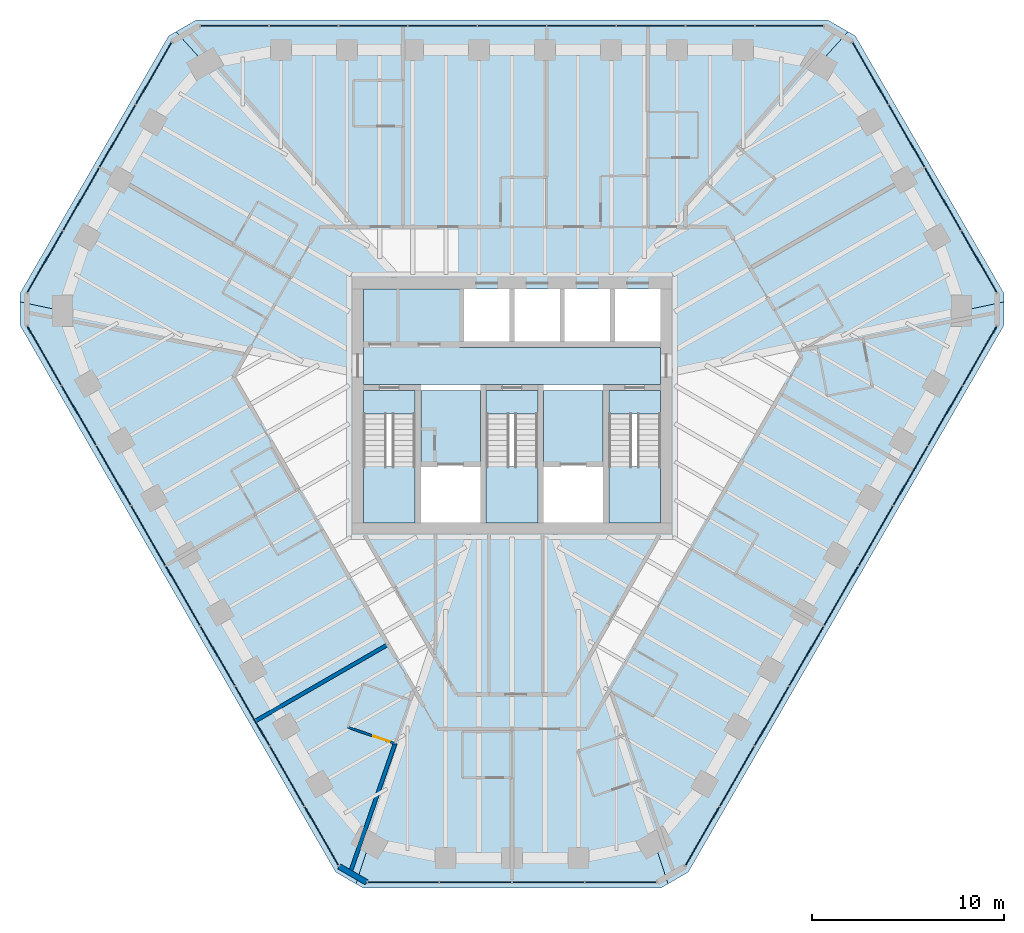
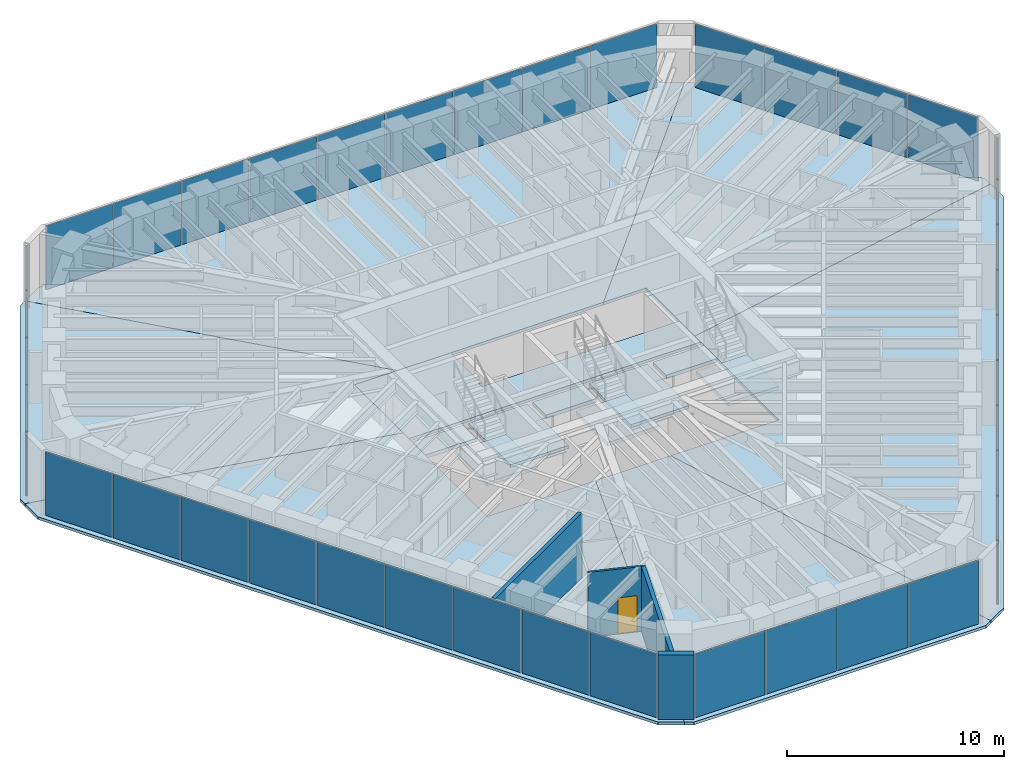
# One storey, part 8 of 14: 39 plates, 15 slabs, 4 walls, 1 door, 1 opening, 9 elements without a shape of their own.
"""IFC4 building model written with IfcOpenShell, lengths in metres."""

import ifcopenshell
import ifcopenshell.guid

model = None  # the IFC model being written
_history = None  # IfcOwnerHistory: only IFC2X3 demands one
_inside = {}  # id of a spatial element -> (the spatial element, [elements in it])
_under = {}  # id of a project, library or spatial element -> (it, [spatial elements below it])
_declared = {}  # id of a project -> (the project, [libraries it declares])
_typed = {}  # id of a type object -> (the type object, [elements of that type])
_made_of = {}  # id of a material, layer set ... -> (it, [elements and type objects made of it])


def new_model(schema):
    """Start an empty IFC model of exactly this schema.

    Asked for "IFC4X3", IfcOpenShell would pick the latest addendum, in which some entities
    have other attributes; the version numbers below select the first issue.
    IFC2X3 requires an IfcOwnerHistory on every rooted entity: one is made here for all.
    """
    global model, _history
    if schema == "IFC4X3":
        model = ifcopenshell.file(schema_version=(4, 3, 0, 0))
    else:
        model = ifcopenshell.file(schema=schema)
    _inside.clear()
    _under.clear()
    _declared.clear()
    _typed.clear()
    _made_of.clear()
    _history = None
    if model.schema == "IFC2X3":
        org = make("IfcOrganization", Name="unknown")
        user = make(
            "IfcPersonAndOrganization",
            ThePerson=make("IfcPerson", FamilyName="unknown"),
            TheOrganization=org,
        )
        app = make(
            "IfcApplication",
            ApplicationDeveloper=org,
            Version="unknown",
            ApplicationFullName="unknown",
            ApplicationIdentifier="unknown",
        )
        _history = make(
            "IfcOwnerHistory",
            OwningUser=user,
            OwningApplication=app,
            ChangeAction="ADDED",
            CreationDate=0,
        )
    return model


def make(cls, **values):
    """One entity of the class cls with the attributes given. An attribute that is None is left unset."""
    return model.create_entity(
        cls, **{name: value for name, value in values.items() if value is not None}
    )


def rooted(cls, **values):
    """An entity with a GlobalId (a new one), such as an element, a storey or a relation."""
    return make(cls, GlobalId=ifcopenshell.guid.new(), OwnerHistory=_history, **values)


def si_unit(unit_type, name, prefix=None):
    """IfcSIUnit, for example si_unit("LENGTHUNIT", "METRE", prefix="MILLI")."""
    return make("IfcSIUnit", UnitType=unit_type, Prefix=prefix, Name=name)


def assignment(units):
    """IfcUnitAssignment: the units of a project."""
    return None if units is None else make("IfcUnitAssignment", Units=units)


def point(xyz):
    """IfcCartesianPoint."""
    return None if xyz is None else make("IfcCartesianPoint", Coordinates=xyz)


def direction(xyz):
    """IfcDirection."""
    return None if xyz is None else make("IfcDirection", DirectionRatios=xyz)


def frame(location, z_axis=None, x_axis=None):
    """IfcAxis2Placement3D, a coordinate frame: its origin and axes. An axis left out is left unset."""
    return make(
        "IfcAxis2Placement3D",
        Location=point(location),
        Axis=direction(z_axis),
        RefDirection=direction(x_axis),
    )


def frame_2d(location, x_axis=None):
    """IfcAxis2Placement2D, a coordinate frame in the plane: its origin and x axis."""
    return make(
        "IfcAxis2Placement2D", Location=point(location), RefDirection=direction(x_axis)
    )


def origin():
    """The frame at (0, 0, 0) with its axes left unset."""
    return frame((0.0, 0.0, 0.0))


def origin_2d():
    """The frame at (0, 0) in the plane with its x axis left unset."""
    return frame_2d((0.0, 0.0))


def place(relative_to, where):
    """IfcLocalPlacement: puts the frame where relative to a parent placement (None: the world)."""
    return make(
        "IfcLocalPlacement", PlacementRelTo=relative_to, RelativePlacement=where
    )


def context(
    kind, dimensions, precision=None, world=None, true_north=None, identifier=None
):
    """IfcGeometricRepresentationContext, for example the 3D "Model" context."""
    return make(
        "IfcGeometricRepresentationContext",
        ContextIdentifier=identifier,
        ContextType=kind,
        CoordinateSpaceDimension=dimensions,
        Precision=precision,
        WorldCoordinateSystem=world,
        TrueNorth=true_north,
    )


def subcontext(parent, identifier, kind, view, scale=None):
    """IfcGeometricRepresentationSubContext, for example "Body" below "Model"."""
    return make(
        "IfcGeometricRepresentationSubContext",
        ContextIdentifier=identifier,
        ContextType=kind,
        ParentContext=parent,
        TargetScale=scale,
        TargetView=view,
    )


def project(units=None, contexts=None):
    """IfcProject with its units and contexts."""
    return rooted(
        "IfcProject",
        Name="project",
        RepresentationContexts=contexts,
        UnitsInContext=assignment(units),
    )


def spatial(cls, under=None, at=None, **own):
    """A site, building, storey or space (cls), placed at a placement, below another one or the project."""
    s = rooted(cls, ObjectPlacement=at, **own)
    if under is not None:
        _under.setdefault(under.id(), (under, []))[1].append(s)
    return s


def polyline(points):
    """IfcPolyline through the points."""
    return make("IfcPolyline", Points=[point(p) for p in points])


def profile(cls, at=None, kind="AREA", **sizes):
    """A parametric profile (cls). Its sizes go by their IFC names, for example OverallWidth=200.0."""
    return make(cls, ProfileType=kind, Position=at, **sizes)


def rectangle(**sizes):
    """IfcRectangleProfileDef."""
    return profile("IfcRectangleProfileDef", **sizes)


def outline(outer, holes=None, kind="AREA"):
    """IfcArbitraryClosedProfileDef: a profile drawn as a closed curve; with holes, ...WithVoids."""
    if holes is None:
        return make("IfcArbitraryClosedProfileDef", ProfileType=kind, OuterCurve=outer)
    return make(
        "IfcArbitraryProfileDefWithVoids",
        ProfileType=kind,
        OuterCurve=outer,
        InnerCurves=holes,
    )


def extrude(swept, where, along, depth):
    """IfcExtrudedAreaSolid: the profile swept, set in the frame where, extruded along a direction by depth."""
    return make(
        "IfcExtrudedAreaSolid",
        SweptArea=swept,
        Position=where,
        ExtrudedDirection=direction(along),
        Depth=depth,
    )


def shape(context_of_items, identifier, shape_type, items):
    """IfcShapeRepresentation: the items that make up one representation, for example the "Body"."""
    return make(
        "IfcShapeRepresentation",
        ContextOfItems=context_of_items,
        RepresentationIdentifier=identifier,
        RepresentationType=shape_type,
        Items=items,
    )


def material(Name=None, Category=None):
    """IfcMaterial."""
    return make("IfcMaterial", Name=Name, Category=Category)


def layer(
    of_material, thickness, ventilated=None, Name=None, Category=None, Priority=None
):
    """IfcMaterialLayer: one layer of a wall or slab, of a material (None: an air gap)."""
    return make(
        "IfcMaterialLayer",
        Material=of_material,
        LayerThickness=thickness,
        IsVentilated=ventilated,
        Name=Name,
        Category=Category,
        Priority=Priority,
    )


def layer_set(layers, Name=None):
    """IfcMaterialLayerSet."""
    return make("IfcMaterialLayerSet", MaterialLayers=layers, LayerSetName=Name)


def made_of(thing, what):
    """Note that an element or type object is made of a material, layer set ...; save() writes the relation."""
    if what is not None:
        _made_of.setdefault(what.id(), (what, []))[1].append(thing)
    return thing


def type_object(cls, material=None, **own):
    """A type object (cls), such as IfcWallType, which elements share."""
    return made_of(rooted(cls, **own), material)


def element(
    cls,
    number,
    at=None,
    inside=None,
    cuts=None,
    type_object=None,
    material=None,
    context=None,
    identifier="Body",
    shape_type=None,
    held_by="IfcProductDefinitionShape",
    body=None,
    shapes=None,
    **own,
):
    """One element of the class cls, such as IfcWall. Its Tag is "e" and its number.

    at: its placement. inside: the storey or other place that contains it. cuts: it is an
    opening in that element (IfcRelVoidsElement). A single representation is given by context,
    identifier, shape_type and body (its items); several are given by shapes. held_by: the class
    of the entity that holds the representations. save() writes the other relations.
    """
    e = rooted(cls, Tag="e%d" % number, ObjectPlacement=at, **own)
    if body is not None:
        shapes = [shape(context, identifier, shape_type, body)]
    if shapes is not None:
        e.Representation = make(held_by, Representations=shapes)
    if inside is not None:
        _inside.setdefault(inside.id(), (inside, []))[1].append(e)
    if cuts is not None:
        rooted(
            "IfcRelVoidsElement", RelatingBuildingElement=cuts, RelatedOpeningElement=e
        )
    if type_object is not None:
        _typed.setdefault(type_object.id(), (type_object, []))[1].append(e)
    return made_of(e, material)


def fill(opening, filler):
    """IfcRelFillsElement: the door or window that sits in an opening."""
    return rooted(
        "IfcRelFillsElement",
        RelatingOpeningElement=opening,
        RelatedBuildingElement=filler,
    )


def aggregate(whole, parts):
    """IfcRelAggregates: a whole, such as a stair, and the parts it consists of."""
    return rooted("IfcRelAggregates", RelatingObject=whole, RelatedObjects=parts)


def save(model, path):
    """Write the relations noted so far, then the file.

    IfcRelAggregates (storeys below a building ...), IfcRelContainedInSpatialStructure (elements
    in a storey), IfcRelDefinesByType, IfcRelAssociatesMaterial and IfcRelDeclares: one each for
    every whole, place, type object, material and project.
    """
    for whole, parts in _under.values():
        aggregate(whole, parts)
    for where, things in _inside.values():
        rooted(
            "IfcRelContainedInSpatialStructure",
            RelatedElements=things,
            RelatingStructure=where,
        )
    for kind, things in _typed.values():
        rooted("IfcRelDefinesByType", RelatedObjects=things, RelatingType=kind)
    for what, things in _made_of.values():
        rooted("IfcRelAssociatesMaterial", RelatedObjects=things, RelatingMaterial=what)
    for by, libraries in _declared.values():
        rooted("IfcRelDeclares", RelatingContext=by, RelatedDefinitions=libraries)
    model.write(path)


model = new_model("IFC4")

# Units and contexts
model_context = context("Model", 3, precision=1e-05, world=origin(), true_north=direction((0.0, 1.0)))
body_context = subcontext(model_context, "Body", "Model", "MODEL_VIEW")
ifc_project = project(units=[si_unit("LENGTHUNIT", "METRE"), si_unit("AREAUNIT", "SQUARE_METRE"), si_unit("VOLUMEUNIT", "CUBIC_METRE"), si_unit("PLANEANGLEUNIT", "RADIAN"), si_unit("MASSUNIT", "GRAM", prefix="KILO")], contexts=[model_context])

# Site, building, storey
site_placement = place(None, origin())
site = spatial("IfcSite", under=ifc_project, at=site_placement, CompositionType="ELEMENT")
building_placement = place(site_placement, origin())
building = spatial("IfcBuilding", under=site, at=building_placement, Name="Sandreach Pilgrim Tower", CompositionType="ELEMENT")
storey_placement = place(building_placement, frame((0.0, 0.0, 276.0)))
storey = spatial("IfcBuildingStorey", under=building, at=storey_placement, Name="L69", CompositionType="ELEMENT", Elevation=276.0)

# Curtain wall, plates
ifc_material_1 = material(Name="Aluminium framed curtain wall", Category="aluminium")
curtain_wall_type = type_object("IfcCurtainWallType", Name="Suite tower curtain wall", PredefinedType="NOTDEFINED", material=ifc_material_1)
curtain_wall_1_placement = place(storey_placement, origin())
curtain_wall_1 = element("IfcCurtainWall", 1, at=curtain_wall_1_placement, inside=storey, type_object=curtain_wall_type, Name="CW-4 L69 N", PredefinedType="NOTDEFINED")
ifc_material_2 = material(Name="Insulating glass unit 16.76 laminated + 24 argon + 16.76 laminated", Category="glass")
ifc_layer_1 = layer(ifc_material_2, 0.05810546875)
ifc_layer_set_1 = layer_set([ifc_layer_1], Name="CW-4 panel")
plate_type = type_object("IfcPlateType", Name="CW-4 panel", PredefinedType="CURTAIN_PANEL", material=ifc_layer_set_1)
plate_1_placement = place(storey_placement, frame((-14.472412109375, 19.826416015625, 0.0), z_axis=(0.0, 0.0, 1.0), x_axis=(1.0, 0.0, 0.0)))
plate_1 = element("IfcPlate", 2, at=plate_1_placement, type_object=plate_type, Name="CW-4 panel 1", PredefinedType="CURTAIN_PANEL", context=body_context, shape_type="SweptSolid", body=[
    extrude(rectangle(XDim=3.531982421875, YDim=0.05810546875, at=origin_2d()), origin(), (0.0, 0.0, 1.0), 3.570068359375),
])
plate_2_placement = place(storey_placement, frame((-10.865478515625, 19.826416015625, 0.0), z_axis=(0.0, 0.0, 1.0), x_axis=(1.0, 0.0, 0.0)))
plate_2 = element("IfcPlate", 3, at=plate_2_placement, type_object=plate_type, Name="CW-4 panel 2", PredefinedType="CURTAIN_PANEL", context=body_context, shape_type="SweptSolid", body=[
    extrude(rectangle(XDim=3.561767578125, YDim=0.05810546875, at=origin_2d()), origin(), (0.0, 0.0, 1.0), 3.570068359375),
])
plate_3_placement = place(storey_placement, frame((-7.24365234375, 19.826416015625, 0.0), z_axis=(0.0, 0.0, 1.0), x_axis=(1.0, 0.0, 0.0)))
plate_3 = element("IfcPlate", 4, at=plate_3_placement, type_object=plate_type, Name="CW-4 panel 3", PredefinedType="CURTAIN_PANEL", context=body_context, shape_type="SweptSolid", body=[
    extrude(rectangle(XDim=3.561767578125, YDim=0.05810546875, at=origin_2d()), origin(), (0.0, 0.0, 1.0), 3.570068359375),
])
plate_4_placement = place(storey_placement, frame((-3.621826171875, 19.826416015625, 0.0), z_axis=(0.0, 0.0, 1.0), x_axis=(1.0, 0.0, 0.0)))
plate_4 = element("IfcPlate", 5, at=plate_4_placement, type_object=plate_type, Name="CW-4 panel 4", PredefinedType="CURTAIN_PANEL", context=body_context, shape_type="SweptSolid", body=[
    extrude(rectangle(XDim=3.561767578125, YDim=0.05810546875, at=origin_2d()), origin(), (0.0, 0.0, 1.0), 3.570068359375),
])
plate_5_placement = place(storey_placement, frame((0.0, 19.826416015625, 0.0), z_axis=(0.0, 0.0, 1.0), x_axis=(1.0, 0.0, 0.0)))
plate_5 = element("IfcPlate", 6, at=plate_5_placement, type_object=plate_type, Name="CW-4 panel 5", PredefinedType="CURTAIN_PANEL", context=body_context, shape_type="SweptSolid", body=[
    extrude(rectangle(XDim=3.561767578125, YDim=0.05810546875, at=origin_2d()), origin(), (0.0, 0.0, 1.0), 3.570068359375),
])
plate_6_placement = place(storey_placement, frame((3.621826171875, 19.826416015625, 0.0), z_axis=(0.0, 0.0, 1.0), x_axis=(1.0, 0.0, 0.0)))
plate_6 = element("IfcPlate", 7, at=plate_6_placement, type_object=plate_type, Name="CW-4 panel 6", PredefinedType="CURTAIN_PANEL", context=body_context, shape_type="SweptSolid", body=[
    extrude(rectangle(XDim=3.561767578125, YDim=0.05810546875, at=origin_2d()), origin(), (0.0, 0.0, 1.0), 3.570068359375),
])
plate_7_placement = place(storey_placement, frame((7.24365234375, 19.826416015625, 0.0), z_axis=(0.0, 0.0, 1.0), x_axis=(1.0, 0.0, 0.0)))
plate_7 = element("IfcPlate", 8, at=plate_7_placement, type_object=plate_type, Name="CW-4 panel 7", PredefinedType="CURTAIN_PANEL", context=body_context, shape_type="SweptSolid", body=[
    extrude(rectangle(XDim=3.561767578125, YDim=0.05810546875, at=origin_2d()), origin(), (0.0, 0.0, 1.0), 3.570068359375),
])
plate_8_placement = place(storey_placement, frame((10.865478515625, 19.826416015625, 0.0), z_axis=(0.0, 0.0, 1.0), x_axis=(1.0, 0.0, 0.0)))
plate_8 = element("IfcPlate", 9, at=plate_8_placement, type_object=plate_type, Name="CW-4 panel 8", PredefinedType="CURTAIN_PANEL", context=body_context, shape_type="SweptSolid", body=[
    extrude(rectangle(XDim=3.561767578125, YDim=0.05810546875, at=origin_2d()), origin(), (0.0, 0.0, 1.0), 3.570068359375),
])
plate_9_placement = place(storey_placement, frame((14.472412109375, 19.826416015625, 0.0), z_axis=(0.0, 0.0, 1.0), x_axis=(1.0, 0.0, 0.0)))
plate_9 = element("IfcPlate", 10, at=plate_9_placement, type_object=plate_type, Name="CW-4 panel 9", PredefinedType="CURTAIN_PANEL", context=body_context, shape_type="SweptSolid", body=[
    extrude(rectangle(XDim=3.531982421875, YDim=0.05810546875, at=origin_2d()), origin(), (0.0, 0.0, 1.0), 3.570068359375),
])
aggregate(curtain_wall_1, [plate_1, plate_2, plate_3, plate_4, plate_5, plate_6, plate_7, plate_8, plate_9])

curtain_wall_2_placement = place(storey_placement, origin())
curtain_wall_2 = element("IfcCurtainWall", 11, at=curtain_wall_2_placement, inside=storey, type_object=curtain_wall_type, Name="CW-4 L69 NE", PredefinedType="NOTDEFINED")
plate_10_placement = place(storey_placement, frame((18.69140625, 17.341552734375, 0.0), z_axis=(0.0, 0.0, 1.0), x_axis=(0.5, -0.866025403784, 0.0)))
plate_10 = element("IfcPlate", 12, at=plate_10_placement, type_object=plate_type, Name="CW-4 panel 1", PredefinedType="CURTAIN_PANEL", context=body_context, shape_type="SweptSolid", body=[
    extrude(rectangle(XDim=3.70166015625, YDim=0.05810546875, at=origin_2d()), origin(), (0.0, 0.0, 1.0), 3.570068359375),
])
plate_11_placement = place(storey_placement, frame((20.579833984375, 14.07080078125, 0.0), z_axis=(0.0, 0.0, 1.0), x_axis=(0.5, -0.866025403784, 0.0)))
plate_11 = element("IfcPlate", 13, at=plate_11_placement, type_object=plate_type, Name="CW-4 panel 2", PredefinedType="CURTAIN_PANEL", context=body_context, shape_type="SweptSolid", body=[
    extrude(rectangle(XDim=3.731689453125, YDim=0.05810546875, at=origin_2d()), origin(), (0.0, 0.0, 1.0), 3.570068359375),
])
plate_12_placement = place(storey_placement, frame((22.4755859375, 10.787109375, 0.0), z_axis=(0.0, 0.0, 1.0), x_axis=(0.5, -0.866025403784, 0.0)))
plate_12 = element("IfcPlate", 14, at=plate_12_placement, type_object=plate_type, Name="CW-4 panel 3", PredefinedType="CURTAIN_PANEL", context=body_context, shape_type="SweptSolid", body=[
    extrude(rectangle(XDim=3.731689453125, YDim=0.05810546875, at=origin_2d()), origin(), (0.0, 0.0, 1.0), 3.570068359375),
])
plate_13_placement = place(storey_placement, frame((24.364013671875, 7.516357421875, 0.0), z_axis=(0.0, 0.0, 1.0), x_axis=(0.5, -0.866025403784, 0.0)))
plate_13 = element("IfcPlate", 15, at=plate_13_placement, type_object=plate_type, Name="CW-4 panel 4", PredefinedType="CURTAIN_PANEL", context=body_context, shape_type="SweptSolid", body=[
    extrude(rectangle(XDim=3.70166015625, YDim=0.05810546875, at=origin_2d()), origin(), (0.0, 0.0, 1.0), 3.570068359375),
])
aggregate(curtain_wall_2, [plate_10, plate_11, plate_12, plate_13])

curtain_wall_3_placement = place(storey_placement, origin())
curtain_wall_3 = element("IfcCurtainWall", 16, at=curtain_wall_3_placement, inside=storey, type_object=curtain_wall_type, Name="CW-4 L69 SE", PredefinedType="NOTDEFINED")
plate_14_placement = place(storey_placement, frame((24.406494140625, 2.620361328125, 0.0), z_axis=(0.0, 0.0, 1.0), x_axis=(-0.5, -0.866025403784, 0.0)))
plate_14 = element("IfcPlate", 17, at=plate_14_placement, type_object=plate_type, Name="CW-4 panel 1", PredefinedType="CURTAIN_PANEL", context=body_context, shape_type="SweptSolid", body=[
    extrude(rectangle(XDim=3.531982421875, YDim=0.05810546875, at=origin_2d()), origin(), (0.0, 0.0, 1.0), 3.570068359375),
])
plate_15_placement = place(storey_placement, frame((22.60302734375, -0.50341796875, 0.0), z_axis=(0.0, 0.0, 1.0), x_axis=(-0.5, -0.866025403784, 0.0)))
plate_15 = element("IfcPlate", 18, at=plate_15_placement, type_object=plate_type, Name="CW-4 panel 2", PredefinedType="CURTAIN_PANEL", context=body_context, shape_type="SweptSolid", body=[
    extrude(rectangle(XDim=3.561767578125, YDim=0.05810546875, at=origin_2d()), origin(), (0.0, 0.0, 1.0), 3.570068359375),
])
plate_16_placement = place(storey_placement, frame((20.7919921875, -3.639892578125, 0.0), z_axis=(0.0, 0.0, 1.0), x_axis=(-0.5, -0.866025403784, 0.0)))
plate_16 = element("IfcPlate", 19, at=plate_16_placement, type_object=plate_type, Name="CW-4 panel 3", PredefinedType="CURTAIN_PANEL", context=body_context, shape_type="SweptSolid", body=[
    extrude(rectangle(XDim=3.561767578125, YDim=0.05810546875, at=origin_2d()), origin(), (0.0, 0.0, 1.0), 3.570068359375),
])
plate_17_placement = place(storey_placement, frame((18.981201171875, -6.776611328125, 0.0), z_axis=(0.0, 0.0, 1.0), x_axis=(-0.5, -0.866025403784, 0.0)))
plate_17 = element("IfcPlate", 20, at=plate_17_placement, type_object=plate_type, Name="CW-4 panel 4", PredefinedType="CURTAIN_PANEL", context=body_context, shape_type="SweptSolid", body=[
    extrude(rectangle(XDim=3.561767578125, YDim=0.05810546875, at=origin_2d()), origin(), (0.0, 0.0, 1.0), 3.570068359375),
])
plate_18_placement = place(storey_placement, frame((17.170166015625, -9.913330078125, 0.0), z_axis=(0.0, 0.0, 1.0), x_axis=(-0.5, -0.866025403784, 0.0)))
plate_18 = element("IfcPlate", 21, at=plate_18_placement, type_object=plate_type, Name="CW-4 panel 5", PredefinedType="CURTAIN_PANEL", context=body_context, shape_type="SweptSolid", body=[
    extrude(rectangle(XDim=3.561767578125, YDim=0.05810546875, at=origin_2d()), origin(), (0.0, 0.0, 1.0), 3.570068359375),
])
plate_19_placement = place(storey_placement, frame((15.359375, -13.0498046875, 0.0), z_axis=(0.0, 0.0, 1.0), x_axis=(-0.5, -0.866025403784, 0.0)))
plate_19 = element("IfcPlate", 22, at=plate_19_placement, type_object=plate_type, Name="CW-4 panel 6", PredefinedType="CURTAIN_PANEL", context=body_context, shape_type="SweptSolid", body=[
    extrude(rectangle(XDim=3.561767578125, YDim=0.05810546875, at=origin_2d()), origin(), (0.0, 0.0, 1.0), 3.570068359375),
])
plate_20_placement = place(storey_placement, frame((13.54833984375, -16.1865234375, 0.0), z_axis=(0.0, 0.0, 1.0), x_axis=(-0.5, -0.866025403784, 0.0)))
plate_20 = element("IfcPlate", 23, at=plate_20_placement, type_object=plate_type, Name="CW-4 panel 7", PredefinedType="CURTAIN_PANEL", context=body_context, shape_type="SweptSolid", body=[
    extrude(rectangle(XDim=3.561767578125, YDim=0.05810546875, at=origin_2d()), origin(), (0.0, 0.0, 1.0), 3.570068359375),
])
plate_21_placement = place(storey_placement, frame((11.7373046875, -19.322998046875, 0.0), z_axis=(0.0, 0.0, 1.0), x_axis=(-0.5, -0.866025403784, 0.0)))
plate_21 = element("IfcPlate", 24, at=plate_21_placement, type_object=plate_type, Name="CW-4 panel 8", PredefinedType="CURTAIN_PANEL", context=body_context, shape_type="SweptSolid", body=[
    extrude(rectangle(XDim=3.561767578125, YDim=0.05810546875, at=origin_2d()), origin(), (0.0, 0.0, 1.0), 3.570068359375),
])
plate_22_placement = place(storey_placement, frame((9.93408203125, -22.44677734375, 0.0), z_axis=(0.0, 0.0, 1.0), x_axis=(-0.5, -0.866025403784, 0.0)))
plate_22 = element("IfcPlate", 25, at=plate_22_placement, type_object=plate_type, Name="CW-4 panel 9", PredefinedType="CURTAIN_PANEL", context=body_context, shape_type="SweptSolid", body=[
    extrude(rectangle(XDim=3.531982421875, YDim=0.05810546875, at=origin_2d()), origin(), (0.0, 0.0, 1.0), 3.570068359375),
])
aggregate(curtain_wall_3, [plate_14, plate_15, plate_16, plate_17, plate_18, plate_19, plate_20, plate_21, plate_22])

curtain_wall_4_placement = place(storey_placement, origin())
curtain_wall_4 = element("IfcCurtainWall", 26, at=curtain_wall_4_placement, inside=storey, type_object=curtain_wall_type, Name="CW-4 L69 S", PredefinedType="NOTDEFINED")
plate_23_placement = place(storey_placement, frame((5.672607421875, -24.858154296875, 0.0), z_axis=(0.0, 0.0, 1.0), x_axis=(-1.0, 0.0, 0.0)))
plate_23 = element("IfcPlate", 27, at=plate_23_placement, type_object=plate_type, Name="CW-4 panel 1", PredefinedType="CURTAIN_PANEL", context=body_context, shape_type="SweptSolid", body=[
    extrude(rectangle(XDim=3.70166015625, YDim=0.05810546875, at=origin_2d()), origin(), (0.0, 0.0, 1.0), 3.570068359375),
])
plate_24_placement = place(storey_placement, frame((1.895751953125, -24.858154296875, 0.0), z_axis=(0.0, 0.0, 1.0), x_axis=(-1.0, 0.0, 0.0)))
plate_24 = element("IfcPlate", 28, at=plate_24_placement, type_object=plate_type, Name="CW-4 panel 2", PredefinedType="CURTAIN_PANEL", context=body_context, shape_type="SweptSolid", body=[
    extrude(rectangle(XDim=3.731689453125, YDim=0.05810546875, at=origin_2d()), origin(), (0.0, 0.0, 1.0), 3.570068359375),
])
plate_25_placement = place(storey_placement, frame((-1.895751953125, -24.858154296875, 0.0), z_axis=(0.0, 0.0, 1.0), x_axis=(-1.0, 0.0, 0.0)))
plate_25 = element("IfcPlate", 29, at=plate_25_placement, type_object=plate_type, Name="CW-4 panel 3", PredefinedType="CURTAIN_PANEL", context=body_context, shape_type="SweptSolid", body=[
    extrude(rectangle(XDim=3.731689453125, YDim=0.05810546875, at=origin_2d()), origin(), (0.0, 0.0, 1.0), 3.570068359375),
])
plate_26_placement = place(storey_placement, frame((-5.672607421875, -24.858154296875, 0.0), z_axis=(0.0, 0.0, 1.0), x_axis=(-1.0, 0.0, 0.0)))
plate_26 = element("IfcPlate", 30, at=plate_26_placement, type_object=plate_type, Name="CW-4 panel 4", PredefinedType="CURTAIN_PANEL", context=body_context, shape_type="SweptSolid", body=[
    extrude(rectangle(XDim=3.70166015625, YDim=0.05810546875, at=origin_2d()), origin(), (0.0, 0.0, 1.0), 3.570068359375),
])
aggregate(curtain_wall_4, [plate_23, plate_24, plate_25, plate_26])

curtain_wall_5_placement = place(storey_placement, origin())
curtain_wall_5 = element("IfcCurtainWall", 31, at=curtain_wall_5_placement, inside=storey, type_object=curtain_wall_type, Name="CW-4 L69 SW", PredefinedType="NOTDEFINED")
plate_27_placement = place(storey_placement, frame((-9.93408203125, -22.44677734375, 0.0), z_axis=(0.0, 0.0, 1.0), x_axis=(-0.5, 0.866025403784, 0.0)))
plate_27 = element("IfcPlate", 32, at=plate_27_placement, type_object=plate_type, Name="CW-4 panel 1", PredefinedType="CURTAIN_PANEL", context=body_context, shape_type="SweptSolid", body=[
    extrude(rectangle(XDim=3.531982421875, YDim=0.05810546875, at=origin_2d()), origin(), (0.0, 0.0, 1.0), 3.570068359375),
])
plate_28_placement = place(storey_placement, frame((-11.7373046875, -19.322998046875, 0.0), z_axis=(0.0, 0.0, 1.0), x_axis=(-0.5, 0.866025403784, 0.0)))
plate_28 = element("IfcPlate", 33, at=plate_28_placement, type_object=plate_type, Name="CW-4 panel 2", PredefinedType="CURTAIN_PANEL", context=body_context, shape_type="SweptSolid", body=[
    extrude(rectangle(XDim=3.561767578125, YDim=0.05810546875, at=origin_2d()), origin(), (0.0, 0.0, 1.0), 3.570068359375),
])
plate_29_placement = place(storey_placement, frame((-13.54833984375, -16.1865234375, 0.0), z_axis=(0.0, 0.0, 1.0), x_axis=(-0.5, 0.866025403784, 0.0)))
plate_29 = element("IfcPlate", 34, at=plate_29_placement, type_object=plate_type, Name="CW-4 panel 3", PredefinedType="CURTAIN_PANEL", context=body_context, shape_type="SweptSolid", body=[
    extrude(rectangle(XDim=3.561767578125, YDim=0.05810546875, at=origin_2d()), origin(), (0.0, 0.0, 1.0), 3.570068359375),
])
plate_30_placement = place(storey_placement, frame((-15.359375, -13.0498046875, 0.0), z_axis=(0.0, 0.0, 1.0), x_axis=(-0.5, 0.866025403784, 0.0)))
plate_30 = element("IfcPlate", 35, at=plate_30_placement, type_object=plate_type, Name="CW-4 panel 4", PredefinedType="CURTAIN_PANEL", context=body_context, shape_type="SweptSolid", body=[
    extrude(rectangle(XDim=3.561767578125, YDim=0.05810546875, at=origin_2d()), origin(), (0.0, 0.0, 1.0), 3.570068359375),
])
plate_31_placement = place(storey_placement, frame((-17.170166015625, -9.913330078125, 0.0), z_axis=(0.0, 0.0, 1.0), x_axis=(-0.5, 0.866025403784, 0.0)))
plate_31 = element("IfcPlate", 36, at=plate_31_placement, type_object=plate_type, Name="CW-4 panel 5", PredefinedType="CURTAIN_PANEL", context=body_context, shape_type="SweptSolid", body=[
    extrude(rectangle(XDim=3.561767578125, YDim=0.05810546875, at=origin_2d()), origin(), (0.0, 0.0, 1.0), 3.570068359375),
])
plate_32_placement = place(storey_placement, frame((-18.981201171875, -6.776611328125, 0.0), z_axis=(0.0, 0.0, 1.0), x_axis=(-0.5, 0.866025403784, 0.0)))
plate_32 = element("IfcPlate", 37, at=plate_32_placement, type_object=plate_type, Name="CW-4 panel 6", PredefinedType="CURTAIN_PANEL", context=body_context, shape_type="SweptSolid", body=[
    extrude(rectangle(XDim=3.561767578125, YDim=0.05810546875, at=origin_2d()), origin(), (0.0, 0.0, 1.0), 3.570068359375),
])
plate_33_placement = place(storey_placement, frame((-20.7919921875, -3.639892578125, 0.0), z_axis=(0.0, 0.0, 1.0), x_axis=(-0.5, 0.866025403784, 0.0)))
plate_33 = element("IfcPlate", 38, at=plate_33_placement, type_object=plate_type, Name="CW-4 panel 7", PredefinedType="CURTAIN_PANEL", context=body_context, shape_type="SweptSolid", body=[
    extrude(rectangle(XDim=3.561767578125, YDim=0.05810546875, at=origin_2d()), origin(), (0.0, 0.0, 1.0), 3.570068359375),
])
plate_34_placement = place(storey_placement, frame((-22.60302734375, -0.50341796875, 0.0), z_axis=(0.0, 0.0, 1.0), x_axis=(-0.5, 0.866025403784, 0.0)))
plate_34 = element("IfcPlate", 39, at=plate_34_placement, type_object=plate_type, Name="CW-4 panel 8", PredefinedType="CURTAIN_PANEL", context=body_context, shape_type="SweptSolid", body=[
    extrude(rectangle(XDim=3.561767578125, YDim=0.05810546875, at=origin_2d()), origin(), (0.0, 0.0, 1.0), 3.570068359375),
])
plate_35_placement = place(storey_placement, frame((-24.406494140625, 2.620361328125, 0.0), z_axis=(0.0, 0.0, 1.0), x_axis=(-0.5, 0.866025403784, 0.0)))
plate_35 = element("IfcPlate", 40, at=plate_35_placement, type_object=plate_type, Name="CW-4 panel 9", PredefinedType="CURTAIN_PANEL", context=body_context, shape_type="SweptSolid", body=[
    extrude(rectangle(XDim=3.531982421875, YDim=0.05810546875, at=origin_2d()), origin(), (0.0, 0.0, 1.0), 3.570068359375),
])
aggregate(curtain_wall_5, [plate_27, plate_28, plate_29, plate_30, plate_31, plate_32, plate_33, plate_34, plate_35])

curtain_wall_6_placement = place(storey_placement, origin())
curtain_wall_6 = element("IfcCurtainWall", 41, at=curtain_wall_6_placement, inside=storey, type_object=curtain_wall_type, Name="CW-4 L69 NW", PredefinedType="NOTDEFINED")
plate_36_placement = place(storey_placement, frame((-24.364013671875, 7.516357421875, 0.0), z_axis=(0.0, 0.0, 1.0), x_axis=(0.5, 0.866025403784, 0.0)))
plate_36 = element("IfcPlate", 42, at=plate_36_placement, type_object=plate_type, Name="CW-4 panel 1", PredefinedType="CURTAIN_PANEL", context=body_context, shape_type="SweptSolid", body=[
    extrude(rectangle(XDim=3.70166015625, YDim=0.05810546875, at=origin_2d()), origin(), (0.0, 0.0, 1.0), 3.570068359375),
])
plate_37_placement = place(storey_placement, frame((-22.4755859375, 10.787109375, 0.0), z_axis=(0.0, 0.0, 1.0), x_axis=(0.5, 0.866025403784, 0.0)))
plate_37 = element("IfcPlate", 43, at=plate_37_placement, type_object=plate_type, Name="CW-4 panel 2", PredefinedType="CURTAIN_PANEL", context=body_context, shape_type="SweptSolid", body=[
    extrude(rectangle(XDim=3.731689453125, YDim=0.05810546875, at=origin_2d()), origin(), (0.0, 0.0, 1.0), 3.570068359375),
])
plate_38_placement = place(storey_placement, frame((-20.579833984375, 14.07080078125, 0.0), z_axis=(0.0, 0.0, 1.0), x_axis=(0.5, 0.866025403784, 0.0)))
plate_38 = element("IfcPlate", 44, at=plate_38_placement, type_object=plate_type, Name="CW-4 panel 3", PredefinedType="CURTAIN_PANEL", context=body_context, shape_type="SweptSolid", body=[
    extrude(rectangle(XDim=3.731689453125, YDim=0.05810546875, at=origin_2d()), origin(), (0.0, 0.0, 1.0), 3.570068359375),
])
plate_39_placement = place(storey_placement, frame((-18.69140625, 17.341552734375, 0.0), z_axis=(0.0, 0.0, 1.0), x_axis=(0.5, 0.866025403784, 0.0)))
plate_39 = element("IfcPlate", 45, at=plate_39_placement, type_object=plate_type, Name="CW-4 panel 4", PredefinedType="CURTAIN_PANEL", context=body_context, shape_type="SweptSolid", body=[
    extrude(rectangle(XDim=3.70166015625, YDim=0.05810546875, at=origin_2d()), origin(), (0.0, 0.0, 1.0), 3.570068359375),
])
aggregate(curtain_wall_6, [plate_36, plate_37, plate_38, plate_39])

# Slabs
ifc_material_3 = material(Name="Concrete 8000 psi", Category="concrete")
ifc_layer_2 = layer(ifc_material_3, 0.159912109375)
ifc_layer_set_2 = layer_set([ifc_layer_2], Name="Composite floor slab 160")
slab_type_1 = type_object("IfcSlabType", Name="Composite floor slab 160", PredefinedType="FLOOR", material=ifc_layer_set_2)
slab_1_placement = place(storey_placement, frame((0.0, 0.0, -0.159912109375)))
element("IfcSlab", 46, at=slab_1_placement, inside=storey, type_object=slab_type_1, Name="Floor slab L69 N sector", PredefinedType="FLOOR", context=body_context, shape_type="SweptSolid", body=[
    extrude(outline(polyline([(-16.4716796875, 20.12646484375), (16.4716796875, 20.12646484375), (17.52587890625, 19.517822265625), (5.477294921875, 6.10009765625), (-5.477294921875, 6.10009765625), (-17.52587890625, 19.517822265625), (-16.4716796875, 20.12646484375)])), origin(), (0.0, 0.0, 1.0), 0.159912109375),
])
slab_2_placement = place(storey_placement, frame((0.0, 0.0, -0.159912109375)))
element("IfcSlab", 47, at=slab_2_placement, inside=storey, type_object=slab_type_1, Name="Floor slab L69 NE sector", PredefinedType="FLOOR", context=body_context, shape_type="SweptSolid", body=[
    extrude(outline(polyline([(17.9091796875, 19.29638671875), (25.665771484375, 5.861572265625), (25.665771484375, 5.4189453125), (7.75, 1.63623046875), (7.75, 6.10009765625), (5.477294921875, 6.10009765625), (17.52587890625, 19.517822265625), (17.9091796875, 19.29638671875)])), origin(), (0.0, 0.0, 1.0), 0.159912109375),
])
slab_3_placement = place(storey_placement, frame((0.0, 0.0, -0.159912109375)))
element("IfcSlab", 48, at=slab_3_placement, inside=storey, type_object=slab_type_1, Name="Floor slab L69 SE sector", PredefinedType="FLOOR", context=body_context, shape_type="SweptSolid", body=[
    extrude(outline(polyline([(25.665771484375, 4.20166015625), (9.194091796875, -24.327880859375), (8.139892578125, -24.936767578125), (1.9912109375, -6.10009765625), (7.75, -6.10009765625), (7.75, 1.63623046875), (25.665771484375, 5.4189453125), (25.665771484375, 4.20166015625)])), origin(), (0.0, 0.0, 1.0), 0.159912109375),
])
slab_4_placement = place(storey_placement, frame((0.0, 0.0, -0.159912109375)))
element("IfcSlab", 49, at=slab_4_placement, inside=storey, type_object=slab_type_1, Name="Floor slab L69 S sector", PredefinedType="FLOOR", context=body_context, shape_type="SweptSolid", body=[
    extrude(outline(polyline([(7.756591796875, -25.157958984375), (-7.756591796875, -25.157958984375), (-8.139892578125, -24.936767578125), (-1.9912109375, -6.10009765625), (1.9912109375, -6.10009765625), (8.139892578125, -24.936767578125), (7.756591796875, -25.157958984375)])), origin(), (0.0, 0.0, 1.0), 0.159912109375),
])
slab_5_placement = place(storey_placement, frame((0.0, 0.0, -0.159912109375)))
element("IfcSlab", 50, at=slab_5_placement, inside=storey, type_object=slab_type_1, Name="Floor slab L69 SW sector", PredefinedType="FLOOR", context=body_context, shape_type="SweptSolid", body=[
    extrude(outline(polyline([(-9.194091796875, -24.327880859375), (-25.665771484375, 4.20166015625), (-25.665771484375, 5.4189453125), (-7.75, 1.63623046875), (-7.75, -6.10009765625), (-1.9912109375, -6.10009765625), (-8.139892578125, -24.936767578125), (-9.194091796875, -24.327880859375)])), origin(), (0.0, 0.0, 1.0), 0.159912109375),
])
slab_6_placement = place(storey_placement, frame((0.0, 0.0, -0.159912109375)))
element("IfcSlab", 51, at=slab_6_placement, inside=storey, type_object=slab_type_1, Name="Floor slab L69 NW sector", PredefinedType="FLOOR", context=body_context, shape_type="SweptSolid", body=[
    extrude(outline(polyline([(-25.665771484375, 5.861572265625), (-17.9091796875, 19.29638671875), (-17.52587890625, 19.517822265625), (-5.477294921875, 6.10009765625), (-7.75, 6.10009765625), (-7.75, 1.63623046875), (-25.665771484375, 5.4189453125), (-25.665771484375, 5.861572265625)])), origin(), (0.0, 0.0, 1.0), 0.159912109375),
])
slab_7_placement = place(storey_placement, frame((0.0, 0.0, -0.159912109375)))
element("IfcSlab", 52, at=slab_7_placement, inside=storey, type_object=slab_type_1, Name="Core floor slab L69", PredefinedType="FLOOR", context=body_context, shape_type="SweptSolid", body=[
    extrude(outline(polyline([(-2.75, 3.35009765625), (-2.75, 3.050048828125), (-0.125, 3.050048828125), (0.125, 3.050048828125), (2.5, 3.050048828125), (2.75, 3.050048828125), (5.125, 3.050048828125), (5.375, 3.050048828125), (7.75, 3.050048828125), (7.75, 1.10009765625), (5.050048828125, 1.10009765625), (4.75, 1.10009765625), (1.64990234375, 1.10009765625), (1.35009765625, 1.10009765625), (-1.35009765625, 1.10009765625), (-1.64990234375, 1.10009765625), (-4.75, 1.10009765625), (-5.050048828125, 1.10009765625), (-7.75, 1.10009765625), (-7.75, 6.10009765625), (-2.64990234375, 6.10009765625), (-2.64990234375, 3.35009765625), (-2.75, 3.35009765625)])), origin(), (0.0, 0.0, 1.0), 0.159912109375),
])
slab_8_placement = place(storey_placement, frame((0.0, 0.0, -0.159912109375)))
element("IfcSlab", 53, at=slab_8_placement, inside=storey, type_object=slab_type_1, Name="Core floor slab L69 2", PredefinedType="FLOOR", context=body_context, shape_type="SweptSolid", body=[
    extrude(outline(polyline([(-1.64990234375, -3.050048828125), (-4.75, -3.050048828125), (-4.75, 0.800048828125), (-1.64990234375, 0.800048828125), (-1.64990234375, -3.050048828125)])), origin(), (0.0, 0.0, 1.0), 0.159912109375),
])
slab_9_placement = place(storey_placement, frame((0.0, 0.0, -0.159912109375)))
element("IfcSlab", 54, at=slab_9_placement, inside=storey, type_object=slab_type_1, Name="Core floor slab L69 3", PredefinedType="FLOOR", context=body_context, shape_type="SweptSolid", body=[
    extrude(outline(polyline([(4.75, -3.050048828125), (1.64990234375, -3.050048828125), (1.64990234375, 0.800048828125), (4.75, 0.800048828125), (4.75, -3.050048828125)])), origin(), (0.0, 0.0, 1.0), 0.159912109375),
])

# Stair, slabs
ifc_material_4 = material(Name="Concrete 8000 psi", Category="concrete")
stair_type = type_object("IfcStairType", Name="Core exit stair", PredefinedType="HALF_TURN_STAIR", material=ifc_material_4)
stair_1_placement = place(storey_placement, origin())
stair_1 = element("IfcStair", 55, at=stair_1_placement, inside=storey, type_object=stair_type, Name="Exit stair ST1 L69", PredefinedType="HALF_TURN_STAIR")
ifc_material_5 = material(Name="Concrete 8000 psi", Category="concrete")
ifc_layer_3 = layer(ifc_material_5, 0.199951171875)
ifc_layer_set_3 = layer_set([ifc_layer_3], Name="Core stair landing 200")
slab_type_2 = type_object("IfcSlabType", Name="Core stair landing 200", PredefinedType="LANDING", material=ifc_layer_set_3)
slab_10_placement = place(storey_placement, frame((0.0, 0.0, -0.199951171875)))
slab_10 = element("IfcSlab", 56, at=slab_10_placement, type_object=slab_type_2, Name="ST1 landing 1", PredefinedType="LANDING", context=body_context, shape_type="SweptSolid", body=[
    extrude(outline(polyline([(-7.75, -0.425048828125), (-5.050048828125, -0.425048828125), (-5.050048828125, 0.800048828125), (-7.75, 0.800048828125), (-7.75, -0.425048828125)])), origin(), (0.0, 0.0, 1.0), 0.199951171875),
])
slab_11_placement = place(storey_placement, frame((0.0, 0.0, 1.699951171875)))
slab_11 = element("IfcSlab", 57, at=slab_11_placement, type_object=slab_type_2, Name="ST1 landing 2", PredefinedType="LANDING", context=body_context, shape_type="SweptSolid", body=[
    extrude(outline(polyline([(-7.75, -6.10009765625), (-5.050048828125, -6.10009765625), (-5.050048828125, -3.175048828125), (-7.75, -3.175048828125), (-7.75, -6.10009765625)])), origin(), (0.0, 0.0, 1.0), 0.199951171875),
])
aggregate(stair_1, [slab_10, slab_11])

stair_2_placement = place(storey_placement, origin())
stair_2 = element("IfcStair", 58, at=stair_2_placement, inside=storey, type_object=stair_type, Name="Exit stair ST3 L69", PredefinedType="HALF_TURN_STAIR")
slab_12_placement = place(storey_placement, frame((0.0, 0.0, -0.199951171875)))
slab_12 = element("IfcSlab", 59, at=slab_12_placement, type_object=slab_type_2, Name="ST3 landing 1", PredefinedType="LANDING", context=body_context, shape_type="SweptSolid", body=[
    extrude(outline(polyline([(-1.35009765625, -0.425048828125), (1.35009765625, -0.425048828125), (1.35009765625, 0.800048828125), (-1.35009765625, 0.800048828125), (-1.35009765625, -0.425048828125)])), origin(), (0.0, 0.0, 1.0), 0.199951171875),
])
slab_13_placement = place(storey_placement, frame((0.0, 0.0, 1.699951171875)))
slab_13 = element("IfcSlab", 60, at=slab_13_placement, type_object=slab_type_2, Name="ST3 landing 2", PredefinedType="LANDING", context=body_context, shape_type="SweptSolid", body=[
    extrude(outline(polyline([(-1.35009765625, -6.10009765625), (1.35009765625, -6.10009765625), (1.35009765625, -3.175048828125), (-1.35009765625, -3.175048828125), (-1.35009765625, -6.10009765625)])), origin(), (0.0, 0.0, 1.0), 0.199951171875),
])
aggregate(stair_2, [slab_12, slab_13])

stair_3_placement = place(storey_placement, origin())
stair_3 = element("IfcStair", 61, at=stair_3_placement, inside=storey, type_object=stair_type, Name="Exit stair ST2 L69", PredefinedType="HALF_TURN_STAIR")
slab_14_placement = place(storey_placement, frame((0.0, 0.0, -0.199951171875)))
slab_14 = element("IfcSlab", 62, at=slab_14_placement, type_object=slab_type_2, Name="ST2 landing 1", PredefinedType="LANDING", context=body_context, shape_type="SweptSolid", body=[
    extrude(outline(polyline([(5.050048828125, -0.425048828125), (7.75, -0.425048828125), (7.75, 0.800048828125), (5.050048828125, 0.800048828125), (5.050048828125, -0.425048828125)])), origin(), (0.0, 0.0, 1.0), 0.199951171875),
])
slab_15_placement = place(storey_placement, frame((0.0, 0.0, 1.699951171875)))
slab_15 = element("IfcSlab", 63, at=slab_15_placement, type_object=slab_type_2, Name="ST2 landing 2", PredefinedType="LANDING", context=body_context, shape_type="SweptSolid", body=[
    extrude(outline(polyline([(5.050048828125, -6.10009765625), (7.75, -6.10009765625), (7.75, -3.175048828125), (5.050048828125, -3.175048828125), (5.050048828125, -6.10009765625)])), origin(), (0.0, 0.0, 1.0), 0.199951171875),
])
aggregate(stair_3, [slab_14, slab_15])

# Wall, opening, door
ifc_material_6 = material(Name="Moisture-resistant gypsum board on steel studs", Category="steel")
ifc_layer_4 = layer(ifc_material_6, 0.1201171875)
ifc_layer_set_4 = layer_set([ifc_layer_4], Name="Bathroom partition 120")
wall_type_1 = type_object("IfcWallType", Name="Bathroom partition 120", PredefinedType="PARTITIONING", material=ifc_layer_set_4)
wall_1_placement = place(storey_placement, frame((-8.56005859375, -16.77001953125, 0.0), z_axis=(0.0, 0.0, 1.0), x_axis=(0.94515546045, -0.326620813149, 0.0)))
wall_1 = element("IfcWall", 64, at=wall_1_placement, inside=storey, type_object=wall_type_1, Name="Bathroom partition L69-028", PredefinedType="PARTITIONING", context=body_context, shape_type="SweptSolid", body=[
    extrude(rectangle(XDim=2.602783203125, YDim=0.1201171875, at=frame_2d((1.30126953125, 0.0))), origin(), (0.0, 0.0, 1.0), 3.639892578125),
])
opening_placement = place(wall_1_placement, frame((1.402587890625, 0.0, 0.0)))
opening = element("IfcOpeningElement", 65, at=opening_placement, cuts=wall_1, Name="Opening D09-12B", PredefinedType="OPENING", context=body_context, shape_type="SweptSolid", body=[
    extrude(rectangle(XDim=0.89990234375, YDim=2.030029296875, at=frame_2d((0.449951171875, 1.01513671875))), frame((0.0, 0.06005859375, 0.0), z_axis=(0.0, -1.0, 0.0), x_axis=(1.0, 0.0, 0.0)), (0.0, 0.0, 1.0), 0.1201171875),
])
ifc_material_7 = material(Name="Timber door, steel frame", Category="steel")
door_type = type_object("IfcDoorType", Name="Bathroom door", OperationType="SINGLE_SWING_LEFT", PredefinedType="DOOR", material=ifc_material_7)
door_placement = place(opening_placement, origin())
door = element("IfcDoor", 66, at=door_placement, inside=storey, type_object=door_type, Name="Door 6912B", OperationType="SINGLE_SWING_RIGHT", OverallHeight=2.030029296875, OverallWidth=0.89990234375, PredefinedType="DOOR", context=body_context, shape_type="SweptSolid", body=[
    extrude(rectangle(XDim=0.89990234375, YDim=2.030029296875, at=frame_2d((0.449951171875, 1.01513671875))), frame((0.0, 0.02490234375, 0.0), z_axis=(0.0, -1.0, 0.0), x_axis=(1.0, 0.0, 0.0)), (0.0, 0.0, 1.0), 0.050048828125),
])
fill(opening, door)

# Walls
ifc_material_8 = material(Name="Double steel stud acoustic wall, gypsum board", Category="steel")
ifc_layer_5 = layer(ifc_material_8, 0.199951171875)
ifc_layer_set_5 = layer_set([ifc_layer_5], Name="Party wall 200")
wall_type_2 = type_object("IfcWallType", Name="Party wall 200", PredefinedType="PARTITIONING", material=ifc_layer_set_5)
wall_2_placement = place(storey_placement, frame((-13.3740234375, -16.43505859375, 0.0), z_axis=(0.0, 0.0, 1.0), x_axis=(0.866082379937, 0.499901301422, 0.0)))
element("IfcWall", 67, at=wall_2_placement, inside=storey, type_object=wall_type_2, Name="Party wall L69-014", PredefinedType="PARTITIONING", context=body_context, shape_type="SweptSolid", body=[
    extrude(rectangle(XDim=7.95654296875, YDim=0.199951171875, at=frame_2d((3.978271484375, 0.0))), origin(), (0.0, 0.0, 1.0), 3.639892578125),
])
wall_3_placement = place(storey_placement, frame((-8.4501953125, -24.381591796875, 0.0), z_axis=(0.0, 0.0, 1.0), x_axis=(0.328306316797, 0.944571311417, 0.0)))
element("IfcWall", 68, at=wall_3_placement, inside=storey, type_object=wall_type_2, Name="Party wall L69-029", PredefinedType="PARTITIONING", context=body_context, shape_type="SweptSolid", body=[
    extrude(rectangle(XDim=7.158203125, YDim=0.199951171875, at=frame_2d((3.5791015625, 0.0))), origin(), (0.0, 0.0, 1.0), 3.639892578125),
])
ifc_material_9 = material(Name="Terracotta rainscreen on concrete", Category="masonry")
ifc_layer_6 = layer(ifc_material_9, 0.300048828125)
ifc_layer_set_6 = layer_set([ifc_layer_6], Name="Terracotta chamfer pier")
wall_type_3 = type_object("IfcWallType", Name="Terracotta chamfer pier", PredefinedType="SOLIDWALL", material=ifc_layer_set_6)
wall_4_placement = place(storey_placement, frame((-7.58349609375, -24.858154296875, 0.0), z_axis=(0.0, 0.0, 1.0), x_axis=(-0.865989634427, 0.500061949227, 0.0)))
element("IfcWall", 69, at=wall_4_placement, inside=storey, type_object=wall_type_3, Name="Chamfer pier L69 S", PredefinedType="SOLIDWALL", context=body_context, shape_type="SweptSolid", body=[
    extrude(rectangle(XDim=1.659912109375, YDim=0.300048828125, at=frame_2d((0.830078125, 0.0))), origin(), (0.0, 0.0, 1.0), 3.639892578125),
])

save(model, "model.ifc")
